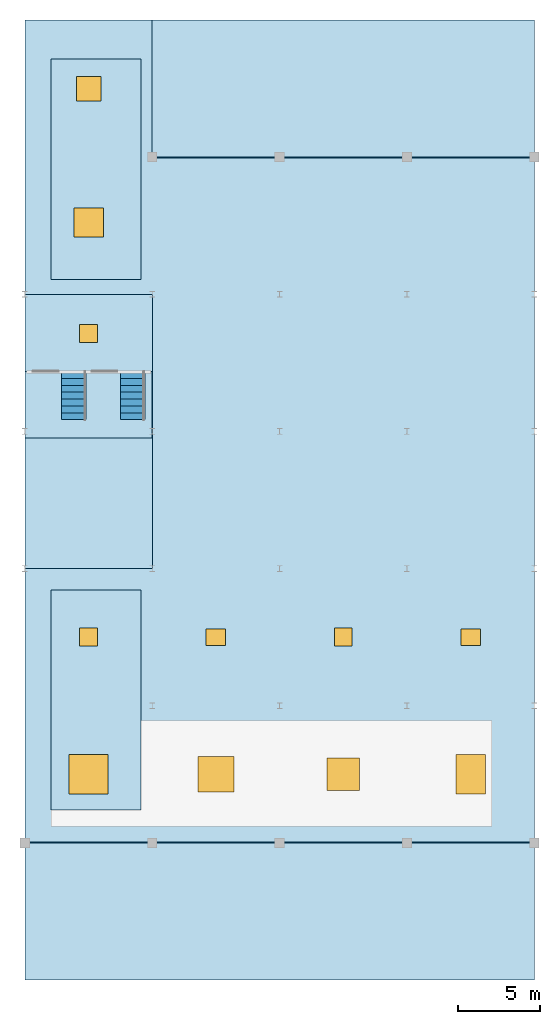
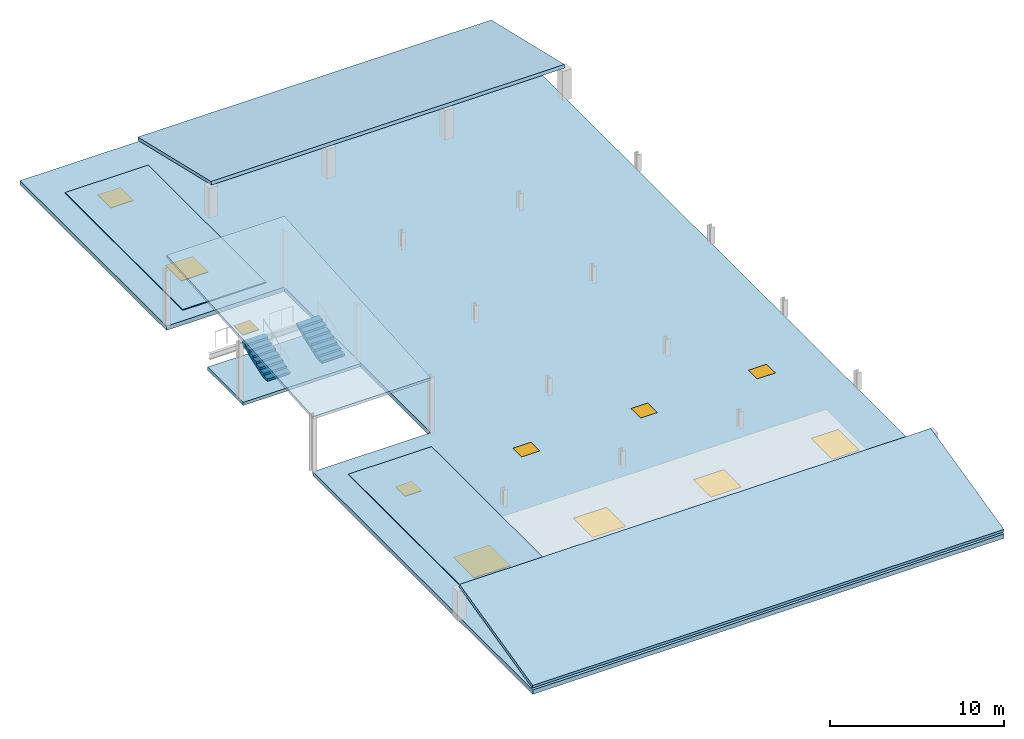
# One storey, part 3 of 4: 6 windows, 5 doors, 5 slabs, 2 roofs, 2 stair flights, 11 openings, 2 elements without a shape of their own.
"""IFC4 building model written with IfcOpenShell, lengths in metres."""

from ifc_helpers import new_model, si_unit, direction, frame, origin, origin_2d, place, context, subcontext, project, spatial, polyline, rectangle, outline, extrude, material, layer, layer_set, type_object, element, fill, aggregate, save


model = new_model("IFC4")

# Units and contexts
model_context = context("Model", 3, precision=1e-05, world=origin(), true_north=direction((0.0, 1.0)))
body_context = subcontext(model_context, "Body", "Model", "MODEL_VIEW")
ifc_project = project(units=[si_unit("LENGTHUNIT", "METRE"), si_unit("AREAUNIT", "SQUARE_METRE"), si_unit("VOLUMEUNIT", "CUBIC_METRE"), si_unit("PLANEANGLEUNIT", "RADIAN"), si_unit("MASSUNIT", "GRAM", prefix="KILO"), si_unit("THERMODYNAMICTEMPERATUREUNIT", "KELVIN"), si_unit("POWERUNIT", "WATT")], contexts=[model_context])

# Site, building, storey
site_placement = place(None, origin())
site = spatial("IfcSite", under=ifc_project, at=site_placement, CompositionType="ELEMENT")
building_placement = place(site_placement, origin())
building = spatial("IfcBuilding", under=site, at=building_placement, Name="Srebrne Nadtorze General Hospital", CompositionType="ELEMENT")
storey_placement = place(building_placement, frame((0.0, 0.0, 37.800048828125)))
storey = spatial("IfcBuildingStorey", under=building, at=storey_placement, Name="ROOF", CompositionType="ELEMENT", Elevation=37.800048828125)

# Slab
ifc_material_1 = material(Name="Concrete C35/45", Category="concrete")
ifc_layer_1 = layer(ifc_material_1, 0.18994140625)
ifc_layer_set_1 = layer_set([ifc_layer_1], Name="Concrete C35/45")
slab_type_1 = type_object("IfcSlabType", Name="Canopy roof slab 190", PredefinedType="ROOF", material=ifc_layer_set_1)
slab_1_placement = place(storey_placement, frame((27.300048828125, 58.800048828125, 3.849853515625), z_axis=(0.0, 0.0, 1.0), x_axis=(0.0, 1.0, 0.0)))
element("IfcSlab", 1, at=slab_1_placement, inside=storey, type_object=slab_type_1, Name="Helipad transfer vestibule roof slab", PredefinedType="ROOF", context=body_context, shape_type="SweptSolid", body=[
    extrude(outline(polyline([(0.0, 0.0), (16.800048828125, 1.130126953125), (16.800048828125, 0.940185546875), (0.0, -0.18994140625), (0.0, 0.0)])), frame((0.0, 3.89990234375, 0.0), z_axis=(0.0, -1.0, 0.0), x_axis=(1.0, 0.0, 0.0)), (0.0, 0.0, 1.0), 7.800048828125),
])

# Slab, openings, doors, windows
ifc_material_2 = material(Name="Concrete C35/45", Category="concrete")
ifc_layer_2 = layer(ifc_material_2, 0.300048828125)
ifc_layer_set_2 = layer_set([ifc_layer_2], Name="Concrete C35/45")
slab_type_2 = type_object("IfcSlabType", Name="Main roof slab 300", PredefinedType="ROOF", material=ifc_layer_set_2)
slab_2_placement = place(storey_placement, frame((0.0, 0.0, -0.300048828125)))
slab_2 = element("IfcSlab", 2, at=slab_2_placement, inside=storey, type_object=slab_type_2, Name="West ward main roof slab RF-L08-WEST", PredefinedType="ROOF", context=body_context, shape_type="SweptSolid", body=[
    extrude(outline(polyline([(23.39990234375, 75.60009765625), (31.199951171875, 75.60009765625), (31.199951171875, 58.800048828125), (23.39990234375, 58.800048828125), (23.39990234375, 33.60009765625), (54.60009765625, 33.60009765625), (54.60009765625, 92.39990234375), (23.39990234375, 92.39990234375), (23.39990234375, 75.60009765625)])), origin(), (0.0, 0.0, 1.0), 0.300048828125),
])
opening_1_placement = place(slab_2_placement, frame((27.300048828125, 46.199951171875, 0.0)))
opening_1 = element("IfcOpeningElement", 3, at=opening_1_placement, cuts=slab_2, Name="Opening SK-ROOF-01", PredefinedType="OPENING", context=body_context, shape_type="SweptSolid", body=[
    extrude(rectangle(XDim=2.39990234375, YDim=2.39990234375, at=origin_2d()), frame((0.0, 0.0, -0.011962890625)), (0.0, 0.0, 1.0), 0.323974609375),
])
opening_2_placement = place(slab_2_placement, frame((35.10009765625, 46.199951171875, 0.0)))
opening_2 = element("IfcOpeningElement", 4, at=opening_2_placement, cuts=slab_2, Name="Opening SK-ROOF-02", PredefinedType="OPENING", context=body_context, shape_type="SweptSolid", body=[
    extrude(rectangle(XDim=2.199951171875, YDim=2.199951171875, at=origin_2d()), frame((0.0, 0.0, -0.011962890625)), (0.0, 0.0, 1.0), 0.323974609375),
])
opening_3_placement = place(slab_2_placement, frame((42.89990234375, 46.199951171875, 0.0)))
opening_3 = element("IfcOpeningElement", 5, at=opening_3_placement, cuts=slab_2, Name="Opening SK-ROOF-03", PredefinedType="OPENING", context=body_context, shape_type="SweptSolid", body=[
    extrude(rectangle(XDim=2.0, YDim=2.0, at=origin_2d()), frame((0.0, 0.0, -0.011962890625)), (0.0, 0.0, 1.0), 0.323974609375),
])
opening_4_placement = place(slab_2_placement, frame((50.699951171875, 46.199951171875, 0.0)))
opening_4 = element("IfcOpeningElement", 6, at=opening_4_placement, cuts=slab_2, Name="Opening SK-ROOF-04", PredefinedType="OPENING", context=body_context, shape_type="SweptSolid", body=[
    extrude(rectangle(XDim=1.800048828125, YDim=2.39990234375, at=origin_2d()), frame((0.0, 0.0, -0.011962890625)), (0.0, 0.0, 1.0), 0.323974609375),
])
opening_5_placement = place(slab_2_placement, frame((27.300048828125, 80.0, 0.0)))
opening_5 = element("IfcOpeningElement", 7, at=opening_5_placement, cuts=slab_2, Name="Opening SK-ROOF-05", PredefinedType="OPENING", context=body_context, shape_type="SweptSolid", body=[
    extrude(rectangle(XDim=1.800048828125, YDim=1.800048828125, at=origin_2d()), frame((0.0, 0.0, -0.011962890625)), (0.0, 0.0, 1.0), 0.323974609375),
])
opening_6_placement = place(slab_2_placement, frame((27.300048828125, 88.199951171875, 0.0)))
opening_6 = element("IfcOpeningElement", 8, at=opening_6_placement, cuts=slab_2, Name="Opening SK-ROOF-06", PredefinedType="OPENING", context=body_context, shape_type="SweptSolid", body=[
    extrude(rectangle(XDim=1.5, YDim=1.5, at=origin_2d()), frame((0.0, 0.0, -0.011962890625)), (0.0, 0.0, 1.0), 0.323974609375),
])
opening_7_placement = place(slab_2_placement, frame((27.300048828125, 54.60009765625, 0.0)))
opening_7 = element("IfcOpeningElement", 9, at=opening_7_placement, cuts=slab_2, Name="Opening HT-ROOF-01", PredefinedType="OPENING", context=body_context, shape_type="SweptSolid", body=[
    extrude(rectangle(XDim=1.10009765625, YDim=1.10009765625, at=origin_2d()), frame((0.0, 0.0, -0.011962890625)), (0.0, 0.0, 1.0), 0.323974609375),
])
opening_8_placement = place(slab_2_placement, frame((35.10009765625, 54.60009765625, 0.0)))
opening_8 = element("IfcOpeningElement", 10, at=opening_8_placement, cuts=slab_2, Name="Opening HT-ROOF-02", PredefinedType="OPENING", context=body_context, shape_type="SweptSolid", body=[
    extrude(rectangle(XDim=1.199951171875, YDim=1.0, at=origin_2d()), frame((0.0, 0.0, -0.011962890625)), (0.0, 0.0, 1.0), 0.323974609375),
])
opening_9_placement = place(slab_2_placement, frame((42.89990234375, 54.60009765625, 0.0)))
opening_9 = element("IfcOpeningElement", 11, at=opening_9_placement, cuts=slab_2, Name="Opening HT-ROOF-03", PredefinedType="OPENING", context=body_context, shape_type="SweptSolid", body=[
    extrude(rectangle(XDim=1.10009765625, YDim=1.10009765625, at=origin_2d()), frame((0.0, 0.0, -0.011962890625)), (0.0, 0.0, 1.0), 0.323974609375),
])
opening_10_placement = place(slab_2_placement, frame((50.699951171875, 54.60009765625, 0.0)))
opening_10 = element("IfcOpeningElement", 12, at=opening_10_placement, cuts=slab_2, Name="Opening HT-ROOF-04", PredefinedType="OPENING", context=body_context, shape_type="SweptSolid", body=[
    extrude(rectangle(XDim=1.199951171875, YDim=1.0, at=origin_2d()), frame((0.0, 0.0, -0.011962890625)), (0.0, 0.0, 1.0), 0.323974609375),
])
opening_11_placement = place(slab_2_placement, frame((27.300048828125, 73.199951171875, 0.0)))
opening_11 = element("IfcOpeningElement", 13, at=opening_11_placement, cuts=slab_2, Name="Opening HT-ROOF-05", PredefinedType="OPENING", context=body_context, shape_type="SweptSolid", body=[
    extrude(rectangle(XDim=1.10009765625, YDim=1.10009765625, at=origin_2d()), frame((0.0, 0.0, -0.011962890625)), (0.0, 0.0, 1.0), 0.323974609375),
])
ifc_material_3 = material(Name="Anodised Aluminium", Category="aluminium")
door_type_1 = type_object("IfcDoorType", Name="Roof access trapdoor 1100x1100", OperationType="NOTDEFINED", PredefinedType="TRAPDOOR", material=ifc_material_3)
door_1_placement = place(opening_7_placement, frame((0.0, 0.0, 0.25)))
door_1 = element("IfcDoor", 14, at=door_1_placement, inside=storey, type_object=door_type_1, Name="Roof access trapdoor HT-ROOF-01", OperationType="SINGLE_SWING_LEFT", OverallHeight=1.10009765625, OverallWidth=1.10009765625, PredefinedType="TRAPDOOR", context=body_context, shape_type="SweptSolid", body=[
    extrude(rectangle(XDim=1.10009765625, YDim=1.10009765625, at=origin_2d()), origin(), (0.0, 0.0, 1.0), 0.050048828125),
])
fill(opening_7, door_1)
door_2_placement = place(opening_9_placement, frame((0.0, 0.0, 0.25)))
door_2 = element("IfcDoor", 15, at=door_2_placement, inside=storey, type_object=door_type_1, Name="Roof access trapdoor HT-ROOF-03", OperationType="SINGLE_SWING_LEFT", OverallHeight=1.10009765625, OverallWidth=1.10009765625, PredefinedType="TRAPDOOR", context=body_context, shape_type="SweptSolid", body=[
    extrude(rectangle(XDim=1.10009765625, YDim=1.10009765625, at=origin_2d()), origin(), (0.0, 0.0, 1.0), 0.050048828125),
])
fill(opening_9, door_2)
door_3_placement = place(opening_11_placement, frame((0.0, 0.0, 0.25)))
door_3 = element("IfcDoor", 16, at=door_3_placement, inside=storey, type_object=door_type_1, Name="Roof access trapdoor HT-ROOF-05", OperationType="SINGLE_SWING_LEFT", OverallHeight=1.10009765625, OverallWidth=1.10009765625, PredefinedType="TRAPDOOR", context=body_context, shape_type="SweptSolid", body=[
    extrude(rectangle(XDim=1.10009765625, YDim=1.10009765625, at=origin_2d()), origin(), (0.0, 0.0, 1.0), 0.050048828125),
])
fill(opening_11, door_3)
ifc_material_4 = material(Name="Anodised Aluminium", Category="aluminium")
door_type_2 = type_object("IfcDoorType", Name="Roof access trapdoor 1200x1000", OperationType="NOTDEFINED", PredefinedType="TRAPDOOR", material=ifc_material_4)
door_4_placement = place(opening_8_placement, frame((0.0, 0.0, 0.25)))
door_4 = element("IfcDoor", 17, at=door_4_placement, inside=storey, type_object=door_type_2, Name="Roof access trapdoor HT-ROOF-02", OperationType="SINGLE_SWING_LEFT", OverallHeight=1.0, OverallWidth=1.199951171875, PredefinedType="TRAPDOOR", context=body_context, shape_type="SweptSolid", body=[
    extrude(rectangle(XDim=1.199951171875, YDim=1.0, at=origin_2d()), origin(), (0.0, 0.0, 1.0), 0.050048828125),
])
fill(opening_8, door_4)
door_5_placement = place(opening_10_placement, frame((0.0, 0.0, 0.25)))
door_5 = element("IfcDoor", 18, at=door_5_placement, inside=storey, type_object=door_type_2, Name="Roof access trapdoor HT-ROOF-04", OperationType="SINGLE_SWING_LEFT", OverallHeight=1.0, OverallWidth=1.199951171875, PredefinedType="TRAPDOOR", context=body_context, shape_type="SweptSolid", body=[
    extrude(rectangle(XDim=1.199951171875, YDim=1.0, at=origin_2d()), origin(), (0.0, 0.0, 1.0), 0.050048828125),
])
fill(opening_10, door_5)
ifc_material_5 = material(Name="Triple Low-E Glazing", Category="glass")
window_type_1 = type_object("IfcWindowType", Name="Roof skylight 1500x1500", PartitioningType="SINGLE_PANEL", PredefinedType="SKYLIGHT", material=ifc_material_5)
window_1_placement = place(opening_6_placement, frame((0.0, 0.0, 0.25)))
window_1 = element("IfcWindow", 19, at=window_1_placement, inside=storey, type_object=window_type_1, Name="Roof skylight SK-ROOF-06", OverallHeight=1.5, OverallWidth=1.5, PartitioningType="SINGLE_PANEL", PredefinedType="SKYLIGHT", context=body_context, shape_type="SweptSolid", body=[
    extrude(rectangle(XDim=1.5, YDim=1.5, at=origin_2d()), origin(), (0.0, 0.0, 1.0), 0.050048828125),
])
fill(opening_6, window_1)
ifc_material_6 = material(Name="Triple Low-E Glazing", Category="glass")
window_type_2 = type_object("IfcWindowType", Name="Roof skylight 1800x1800", PartitioningType="SINGLE_PANEL", PredefinedType="SKYLIGHT", material=ifc_material_6)
window_2_placement = place(opening_5_placement, frame((0.0, 0.0, 0.25)))
window_2 = element("IfcWindow", 20, at=window_2_placement, inside=storey, type_object=window_type_2, Name="Roof skylight SK-ROOF-05", OverallHeight=1.800048828125, OverallWidth=1.800048828125, PartitioningType="SINGLE_PANEL", PredefinedType="SKYLIGHT", context=body_context, shape_type="SweptSolid", body=[
    extrude(rectangle(XDim=1.800048828125, YDim=1.800048828125, at=origin_2d()), origin(), (0.0, 0.0, 1.0), 0.050048828125),
])
fill(opening_5, window_2)
ifc_material_7 = material(Name="Triple Low-E Glazing", Category="glass")
window_type_3 = type_object("IfcWindowType", Name="Roof skylight 1800x2400", PartitioningType="SINGLE_PANEL", PredefinedType="SKYLIGHT", material=ifc_material_7)
window_3_placement = place(opening_4_placement, frame((0.0, 0.0, 0.25)))
window_3 = element("IfcWindow", 21, at=window_3_placement, inside=storey, type_object=window_type_3, Name="Roof skylight SK-ROOF-04", OverallHeight=2.39990234375, OverallWidth=1.800048828125, PartitioningType="SINGLE_PANEL", PredefinedType="SKYLIGHT", context=body_context, shape_type="SweptSolid", body=[
    extrude(rectangle(XDim=1.800048828125, YDim=2.39990234375, at=origin_2d()), origin(), (0.0, 0.0, 1.0), 0.050048828125),
])
fill(opening_4, window_3)
ifc_material_8 = material(Name="Triple Low-E Glazing", Category="glass")
window_type_4 = type_object("IfcWindowType", Name="Roof skylight 2000x2000", PartitioningType="SINGLE_PANEL", PredefinedType="SKYLIGHT", material=ifc_material_8)
window_4_placement = place(opening_3_placement, frame((0.0, 0.0, 0.25)))
window_4 = element("IfcWindow", 22, at=window_4_placement, inside=storey, type_object=window_type_4, Name="Roof skylight SK-ROOF-03", OverallHeight=2.0, OverallWidth=2.0, PartitioningType="SINGLE_PANEL", PredefinedType="SKYLIGHT", context=body_context, shape_type="SweptSolid", body=[
    extrude(rectangle(XDim=2.0, YDim=2.0, at=origin_2d()), origin(), (0.0, 0.0, 1.0), 0.050048828125),
])
fill(opening_3, window_4)
ifc_material_9 = material(Name="Triple Low-E Glazing", Category="glass")
window_type_5 = type_object("IfcWindowType", Name="Roof skylight 2200x2200", PartitioningType="SINGLE_PANEL", PredefinedType="SKYLIGHT", material=ifc_material_9)
window_5_placement = place(opening_2_placement, frame((0.0, 0.0, 0.25)))
window_5 = element("IfcWindow", 23, at=window_5_placement, inside=storey, type_object=window_type_5, Name="Roof skylight SK-ROOF-02", OverallHeight=2.199951171875, OverallWidth=2.199951171875, PartitioningType="SINGLE_PANEL", PredefinedType="SKYLIGHT", context=body_context, shape_type="SweptSolid", body=[
    extrude(rectangle(XDim=2.199951171875, YDim=2.199951171875, at=origin_2d()), origin(), (0.0, 0.0, 1.0), 0.050048828125),
])
fill(opening_2, window_5)
ifc_material_10 = material(Name="Triple Low-E Glazing", Category="glass")
window_type_6 = type_object("IfcWindowType", Name="Roof skylight 2400x2400", PartitioningType="SINGLE_PANEL", PredefinedType="SKYLIGHT", material=ifc_material_10)
window_6_placement = place(opening_1_placement, frame((0.0, 0.0, 0.25)))
window_6 = element("IfcWindow", 24, at=window_6_placement, inside=storey, type_object=window_type_6, Name="Roof skylight SK-ROOF-01", OverallHeight=2.39990234375, OverallWidth=2.39990234375, PartitioningType="SINGLE_PANEL", PredefinedType="SKYLIGHT", context=body_context, shape_type="SweptSolid", body=[
    extrude(rectangle(XDim=2.39990234375, YDim=2.39990234375, at=origin_2d()), origin(), (0.0, 0.0, 1.0), 0.050048828125),
])
fill(opening_1, window_6)

# Slabs
ifc_material_11 = material(Name="Concrete C35/45", Category="concrete")
ifc_layer_3 = layer(ifc_material_11, 0.219970703125)
ifc_layer_set_3 = layer_set([ifc_layer_3], Name="Concrete C35/45")
slab_type_3 = type_object("IfcSlabType", Name="Pitched pavilion roof slab 220", PredefinedType="ROOF", material=ifc_layer_set_3)
slab_3_placement = place(storey_placement, frame((23.39990234375, 33.60009765625, 0.320068359375), z_axis=(0.0, -0.229427205243, 0.973325822885), x_axis=(1.0, 0.0, 0.0)))
element("IfcSlab", 25, at=slab_3_placement, inside=storey, type_object=slab_type_3, Name="West ward wing south pitched roof slab RF-RP-WWD-S", PredefinedType="ROOF", context=body_context, shape_type="SweptSolid", body=[
    extrude(outline(polyline([(0.0, 0.0), (31.2001953125, 0.0), (31.2001953125, 8.630103246263525), (0.0, 8.630103246263525), (0.0, 0.0)])), origin(), (0.0, 0.0, -1.0), 0.219970703125),
])
slab_4_placement = place(storey_placement, frame((31.199951171875, 84.0, 2.300048828125), z_axis=(0.0, 0.229427205243, 0.973325822885), x_axis=(1.0, 0.0, 0.0)))
element("IfcSlab", 26, at=slab_4_placement, inside=storey, type_object=slab_type_3, Name="West ward wing north pitched roof slab RF-RP-WWD-N", PredefinedType="ROOF", context=body_context, shape_type="SweptSolid", body=[
    extrude(outline(polyline([(0.0, 0.0), (23.400146484375, 0.0), (23.400146484375, 8.630103246263523), (0.0, 8.630103246263523), (0.0, 0.0)])), origin(), (0.0, 0.0, -1.0), 0.219970703125),
])
ifc_material_12 = material(Name="Concrete C35/45", Category="concrete")
ifc_layer_4 = layer(ifc_material_12, 0.219970703125)
ifc_layer_set_4 = layer_set([ifc_layer_4], Name="Concrete C35/45")
slab_type_4 = type_object("IfcSlabType", Name="Stair landing slab 220", PredefinedType="LANDING", material=ifc_layer_set_4)
slab_5_placement = place(storey_placement, frame((0.0, 0.0, -0.219970703125)))
element("IfcSlab", 27, at=slab_5_placement, inside=storey, type_object=slab_type_4, Name="Helipad lower vestibule landing slab", PredefinedType="LANDING", context=body_context, shape_type="SweptSolid", body=[
    extrude(outline(polyline([(23.39990234375, 66.800048828125), (31.199951171875, 66.800048828125), (31.199951171875, 70.8798828125), (23.39990234375, 70.8798828125), (23.39990234375, 66.800048828125)])), origin(), (0.0, 0.0, 1.0), 0.219970703125),
])

# Stair, stair flight
ifc_material_13 = material(Name="Steel S355J2", Category="steel")
stair_type = type_object("IfcStairType", Name="Helipad rooftop transfer stair 120", PredefinedType="STRAIGHT_RUN_STAIR", material=ifc_material_13)
stair_1_placement = place(storey_placement, origin())
stair_1 = element("IfcStair", 28, at=stair_1_placement, inside=storey, type_object=stair_type, Name="Helipad transfer stair ST-11", PredefinedType="STRAIGHT_RUN_STAIR")
ifc_material_14 = material(Name="Steel S355J2", Category="steel")
stair_flight_type = type_object("IfcStairFlightType", Name="Steel stair flight 8R", PredefinedType="STRAIGHT", material=ifc_material_14)
stair_flight_1_placement = place(storey_placement, frame((26.39990234375, 67.919921875, 0.0), z_axis=(0.0, 0.0, 1.0), x_axis=(0.0, 1.0, 0.0)))
stair_flight_1 = element("IfcStairFlight", 29, at=stair_flight_1_placement, type_object=stair_flight_type, Name="ST-11 flight 1", NumberOfRisers=8, NumberOfTreads=7, PredefinedType="STRAIGHT", RiserHeight=0.15, TreadLength=0.42, context=body_context, shape_type="SweptSolid", body=[
    extrude(outline(polyline([(0.0, 0.0), (0.0, 0.14990234375), (0.419921875, 0.14990234375), (0.419921875, 0.300048828125), (0.840087890625, 0.300048828125), (0.840087890625, 0.449951171875), (1.260009765625, 0.449951171875), (1.260009765625, 0.60009765625), (1.679931640625, 0.60009765625), (1.679931640625, 0.75), (2.10009765625, 0.75), (2.10009765625, 0.89990234375), (2.52001953125, 0.89990234375), (2.52001953125, 1.050048828125), (2.93994140625, 1.050048828125), (2.93994140625, 1.199951171875), (2.93994140625, 0.85888671875), (0.534912109375, 0.0), (0.0, 0.0)])), frame((0.0, 0.75, 0.0), z_axis=(0.0, -1.0, 0.0), x_axis=(1.0, 0.0, 0.0)), (0.0, 0.0, 1.0), 1.5),
])
aggregate(stair_1, [stair_flight_1])

stair_2_placement = place(storey_placement, origin())
stair_2 = element("IfcStair", 30, at=stair_2_placement, inside=storey, type_object=stair_type, Name="Helipad transfer stair ST-12", PredefinedType="STRAIGHT_RUN_STAIR")
stair_flight_2_placement = place(storey_placement, frame((30.0, 67.919921875, 0.0), z_axis=(0.0, 0.0, 1.0), x_axis=(0.0, 1.0, 0.0)))
stair_flight_2 = element("IfcStairFlight", 31, at=stair_flight_2_placement, type_object=stair_flight_type, Name="ST-12 flight 1", NumberOfRisers=8, NumberOfTreads=7, PredefinedType="STRAIGHT", RiserHeight=0.15, TreadLength=0.42, context=body_context, shape_type="SweptSolid", body=[
    extrude(outline(polyline([(0.0, 0.0), (0.0, 0.14990234375), (0.419921875, 0.14990234375), (0.419921875, 0.300048828125), (0.840087890625, 0.300048828125), (0.840087890625, 0.449951171875), (1.260009765625, 0.449951171875), (1.260009765625, 0.60009765625), (1.679931640625, 0.60009765625), (1.679931640625, 0.75), (2.10009765625, 0.75), (2.10009765625, 0.89990234375), (2.52001953125, 0.89990234375), (2.52001953125, 1.050048828125), (2.93994140625, 1.050048828125), (2.93994140625, 1.199951171875), (2.93994140625, 0.85888671875), (0.534912109375, 0.0), (0.0, 0.0)])), frame((0.0, 0.75, 0.0), z_axis=(0.0, -1.0, 0.0), x_axis=(1.0, 0.0, 0.0)), (0.0, 0.0, 1.0), 1.5),
])
aggregate(stair_2, [stair_flight_2])

# Roofs
ifc_material_15 = material(Name="EPDM Waterproofing Membrane")
ifc_layer_5 = layer(ifc_material_15, 0.06005859375)
ifc_layer_set_5 = layer_set([ifc_layer_5], Name="EPDM Waterproofing Membrane")
roof_type = type_object("IfcRoofType", Name="Warm inverted flat roof membrane assembly", PredefinedType="FLAT_ROOF", material=ifc_layer_set_5)
roof_1_placement = place(storey_placement, origin())
element("IfcRoof", 32, at=roof_1_placement, inside=storey, type_object=roof_type, Name="Warm roof assembly RM-ROOF-W1", PredefinedType="FLAT_ROOF", context=body_context, shape_type="SweptSolid", body=[
    extrude(outline(polyline([(25.0, 44.0), (30.5, 44.0), (30.5, 57.5), (25.0, 57.5), (25.0, 44.0)])), origin(), (0.0, 0.0, 1.0), 0.06005859375),
])
roof_2_placement = place(storey_placement, origin())
element("IfcRoof", 33, at=roof_2_placement, inside=storey, type_object=roof_type, Name="Warm roof assembly RM-ROOF-W2", PredefinedType="FLAT_ROOF", context=body_context, shape_type="SweptSolid", body=[
    extrude(outline(polyline([(25.0, 76.5), (30.5, 76.5), (30.5, 90.0), (25.0, 90.0), (25.0, 76.5)])), origin(), (0.0, 0.0, 1.0), 0.06005859375),
])

save(model, "model.ifc")
